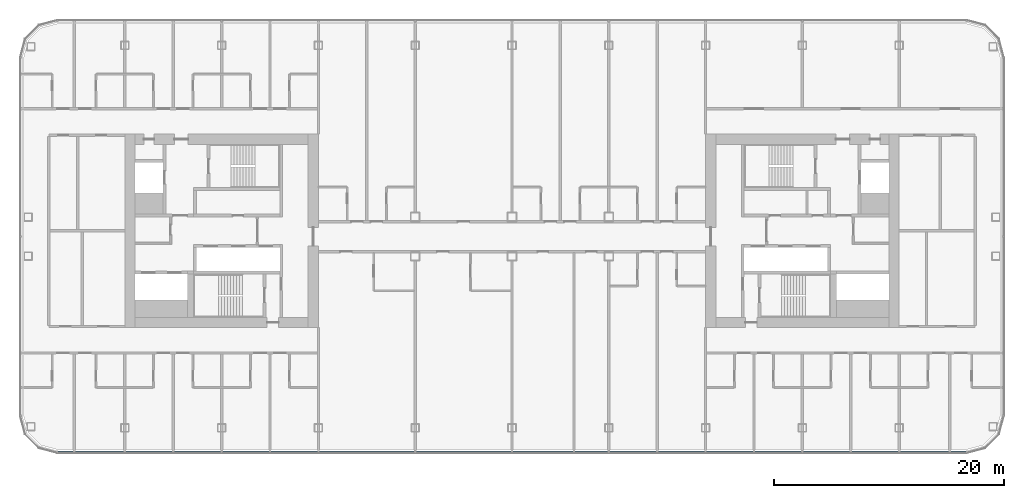
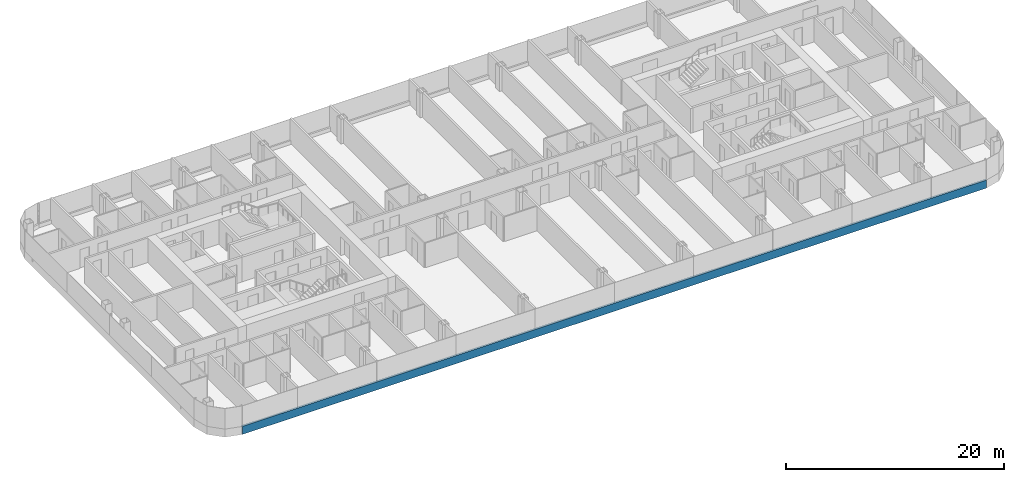
# One storey, part 4 of 26: 1 member, 1 element without a shape of its own.
"""IFC4 building model written with IfcOpenShell, lengths in metres."""

from ifc_helpers import new_model, si_unit, direction, frame, origin, origin_2d, place, context, subcontext, project, spatial, rectangle, extrude, material, layer, layer_set, material_profile, profile_set, type_object, element, aggregate, save


model = new_model("IFC4")

# Units and contexts
model_context = context("Model", 3, precision=1e-05, world=origin(), true_north=direction((0.0, 1.0)))
body_context = subcontext(model_context, "Body", "Model", "MODEL_VIEW")
ifc_project = project(units=[si_unit("LENGTHUNIT", "METRE"), si_unit("AREAUNIT", "SQUARE_METRE"), si_unit("VOLUMEUNIT", "CUBIC_METRE"), si_unit("PLANEANGLEUNIT", "RADIAN"), si_unit("MASSUNIT", "GRAM", prefix="KILO")], contexts=[model_context])

# Site, building, storey
site_placement = place(None, origin())
site = spatial("IfcSite", under=ifc_project, at=site_placement, CompositionType="ELEMENT")
building_placement = place(site_placement, origin())
building = spatial("IfcBuilding", under=site, at=building_placement, Name="Hakoniwa Tower and Hamabe Station Hall", CompositionType="ELEMENT")
storey_placement = place(building_placement, frame((0.0, 0.0, 134.199951171875)))
storey = spatial("IfcBuildingStorey", under=building, at=storey_placement, Name="L37", CompositionType="ELEMENT", Elevation=134.199951171875)

# Curtain wall, member
ifc_material_1 = material(Name="Dark low-e laminated glass", Category="glass")
ifc_layer = layer(ifc_material_1, 0.199951171875)
ifc_layer_set = layer_set([ifc_layer], Name="CW-1 UNITISED GUEST")
curtain_wall_type = type_object("IfcCurtainWallType", Name="CW-1 UNITISED GUEST", PredefinedType="NOTDEFINED", material=ifc_layer_set)
curtain_wall_placement = place(storey_placement, origin())
curtain_wall = element("IfcCurtainWall", 1, at=curtain_wall_placement, inside=storey, type_object=curtain_wall_type, Name="CW-1 curtain wall", PredefinedType="NOTDEFINED")
ifc_material_2 = material(Name="Aluminium 6063-T5 black anodised", Category="aluminium")
ifc_material_profile = material_profile(ifc_material_2, rectangle(XDim=0.199951171875, YDim=0.89990234375, at=origin_2d()), Name="CW SLAB-EDGE BAND 900X200")
ifc_profile_set = profile_set([ifc_material_profile], Name="Aluminium 6063-T5 black anodised")
member_type = type_object("IfcMemberType", Name="CW SLAB-EDGE BAND 900X200", PredefinedType="USERDEFINED", material=ifc_profile_set)
member_placement = place(storey_placement, frame((-39.439453125, -19.199951171875, -0.099853515625), z_axis=(1.0, 0.0, 0.0), x_axis=(0.0, 1.0, 0.0)))
member = element("IfcMember", 2, at=member_placement, type_object=member_type, Name="CW-1 transom", ObjectType="TRANSOM", PredefinedType="USERDEFINED", context=body_context, shape_type="SweptSolid", body=[
    extrude(rectangle(XDim=0.199951171875, YDim=0.89990234375, at=origin_2d()), origin(), (0.0, 0.0, 1.0), 78.87890625),
])
aggregate(curtain_wall, [member])

save(model, "model.ifc")
